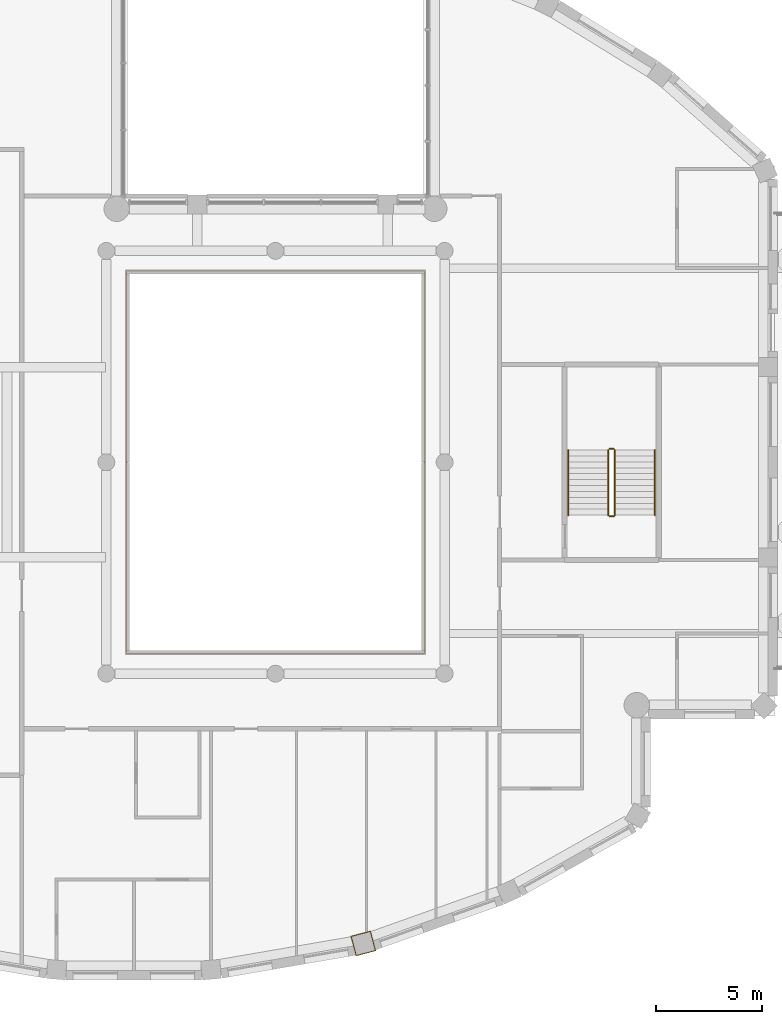
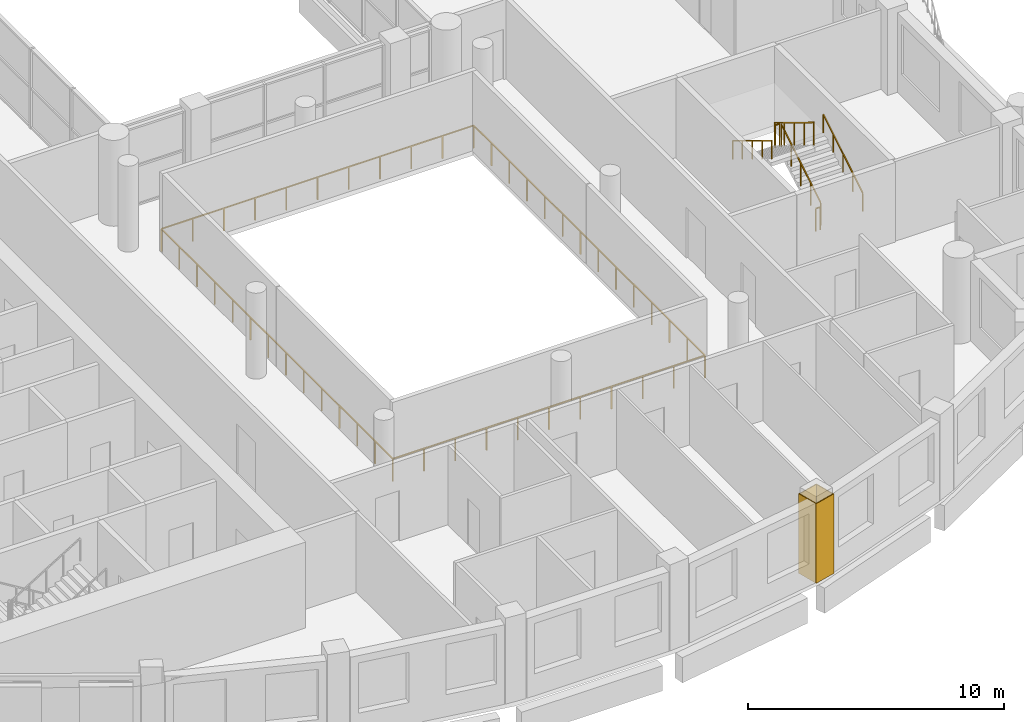
# One storey, part 12 of 15: 7 railings, 1 covering.
"""IFC4 building model written with IfcOpenShell, lengths in metres."""

from ifc_helpers import new_model, si_unit, direction, frame, origin, origin_2d, place, context, subcontext, project, spatial, polyline, rectangle, outline, extrude, material, layer, layer_set, type_object, element, save


model = new_model("IFC4")

# Units and contexts
model_context = context("Model", 3, precision=1e-05, world=origin(), true_north=direction((0.0, 1.0)))
body_context = subcontext(model_context, "Body", "Model", "MODEL_VIEW")
ifc_project = project(units=[si_unit("LENGTHUNIT", "METRE"), si_unit("AREAUNIT", "SQUARE_METRE"), si_unit("VOLUMEUNIT", "CUBIC_METRE"), si_unit("PLANEANGLEUNIT", "RADIAN"), si_unit("MASSUNIT", "GRAM", prefix="KILO")], contexts=[model_context])

# Site, building, storey
site_placement = place(None, origin())
site = spatial("IfcSite", under=ifc_project, at=site_placement, CompositionType="ELEMENT")
building_placement = place(site_placement, origin())
building = spatial("IfcBuilding", under=site, at=building_placement, Name="Cypress Arch Tower", CompositionType="ELEMENT")
storey_placement = place(building_placement, frame((0.0, 0.0, 317.199951171875)))
storey = spatial("IfcBuildingStorey", under=building, at=storey_placement, Name="L72", CompositionType="ELEMENT", Elevation=317.199951171875)

# Railing
ifc_material_1 = material(Name="Stainless steel posts and handrail, laminated glass infill", Category="steel")
railing_type_1 = type_object("IfcRailingType", Name="Atrium guard GR1100A", PredefinedType="GUARDRAIL", material=ifc_material_1)
railing_1_placement = place(storey_placement, frame((8.050048828125, -9.050048828125, 0.0)))
element("IfcRailing", 1, at=railing_1_placement, inside=storey, type_object=railing_type_1, Name="Atrium guard L72", PredefinedType="GUARDRAIL", context=body_context, shape_type="SweptSolid", body=[
    extrude(rectangle(XDim=0.050048828125, YDim=0.050048828125, at=origin_2d()), frame((0.0, 0.0, 1.0751953125), z_axis=(-1.0, 0.0, 0.0), x_axis=(0.0, -1.0, 0.0)), (0.0, 0.0, 1.0), 14.10009765625),
    extrude(rectangle(XDim=0.050048828125, YDim=0.050048828125, at=origin_2d()), frame((-14.10009765625, 0.0, 1.0751953125), z_axis=(0.0, 1.0, 0.0), x_axis=(-1.0, 0.0, 0.0)), (0.0, 0.0, 1.0), 18.10009765625),
    extrude(rectangle(XDim=0.050048828125, YDim=0.050048828125, at=origin_2d()), frame((-14.10009765625, 18.10009765625, 1.0751953125), z_axis=(1.0, 0.0, 0.0), x_axis=(0.0, 1.0, 0.0)), (0.0, 0.0, 1.0), 14.10009765625),
    extrude(rectangle(XDim=0.050048828125, YDim=0.050048828125, at=origin_2d()), frame((0.0, 18.10009765625, 1.0751953125), z_axis=(0.0, -1.0, 0.0), x_axis=(1.0, 0.0, 0.0)), (0.0, 0.0, 1.0), 18.10009765625),
    extrude(rectangle(XDim=0.050048828125, YDim=0.050048828125, at=origin_2d()), origin(), (0.0, 0.0, 1.0), 1.050048828125),
    extrude(rectangle(XDim=0.050048828125, YDim=0.050048828125, at=origin_2d()), frame((-1.409912109375, 0.0, 0.0)), (0.0, 0.0, 1.0), 1.050048828125),
    extrude(rectangle(XDim=0.050048828125, YDim=0.050048828125, at=origin_2d()), frame((-2.820068359375, 0.0, 0.0)), (0.0, 0.0, 1.0), 1.050048828125),
    extrude(rectangle(XDim=0.050048828125, YDim=0.050048828125, at=origin_2d()), frame((-4.22998046875, 0.0, 0.0)), (0.0, 0.0, 1.0), 1.050048828125),
    extrude(rectangle(XDim=0.050048828125, YDim=0.050048828125, at=origin_2d()), frame((-5.64013671875, 0.0, 0.0)), (0.0, 0.0, 1.0), 1.050048828125),
    extrude(rectangle(XDim=0.050048828125, YDim=0.050048828125, at=origin_2d()), frame((-7.050048828125, 0.0, 0.0)), (0.0, 0.0, 1.0), 1.050048828125),
    extrude(rectangle(XDim=0.050048828125, YDim=0.050048828125, at=origin_2d()), frame((-8.4599609375, 0.0, 0.0)), (0.0, 0.0, 1.0), 1.050048828125),
    extrude(rectangle(XDim=0.050048828125, YDim=0.050048828125, at=origin_2d()), frame((-9.8701171875, 0.0, 0.0)), (0.0, 0.0, 1.0), 1.050048828125),
    extrude(rectangle(XDim=0.050048828125, YDim=0.050048828125, at=origin_2d()), frame((-11.280029296875, 0.0, 0.0)), (0.0, 0.0, 1.0), 1.050048828125),
    extrude(rectangle(XDim=0.050048828125, YDim=0.050048828125, at=origin_2d()), frame((-12.690185546875, 0.0, 0.0)), (0.0, 0.0, 1.0), 1.050048828125),
    extrude(rectangle(XDim=0.050048828125, YDim=0.050048828125, at=origin_2d()), frame((-14.10009765625, 0.0, 0.0)), (0.0, 0.0, 1.0), 1.050048828125),
    extrude(rectangle(XDim=0.050048828125, YDim=0.050048828125, at=origin_2d()), frame((-14.10009765625, 1.392333984375, 0.0)), (0.0, 0.0, 1.0), 1.050048828125),
    extrude(rectangle(XDim=0.050048828125, YDim=0.050048828125, at=origin_2d()), frame((-14.10009765625, 2.78466796875, 0.0)), (0.0, 0.0, 1.0), 1.050048828125),
    extrude(rectangle(XDim=0.050048828125, YDim=0.050048828125, at=origin_2d()), frame((-14.10009765625, 4.177001953125, 0.0)), (0.0, 0.0, 1.0), 1.050048828125),
    extrude(rectangle(XDim=0.050048828125, YDim=0.050048828125, at=origin_2d()), frame((-14.10009765625, 5.5693359375, 0.0)), (0.0, 0.0, 1.0), 1.050048828125),
    extrude(rectangle(XDim=0.050048828125, YDim=0.050048828125, at=origin_2d()), frame((-14.10009765625, 6.961669921875, 0.0)), (0.0, 0.0, 1.0), 1.050048828125),
    extrude(rectangle(XDim=0.050048828125, YDim=0.050048828125, at=origin_2d()), frame((-14.10009765625, 8.35400390625, 0.0)), (0.0, 0.0, 1.0), 1.050048828125),
    extrude(rectangle(XDim=0.050048828125, YDim=0.050048828125, at=origin_2d()), frame((-14.10009765625, 9.74609375, 0.0)), (0.0, 0.0, 1.0), 1.050048828125),
    extrude(rectangle(XDim=0.050048828125, YDim=0.050048828125, at=origin_2d()), frame((-14.10009765625, 11.138427734375, 0.0)), (0.0, 0.0, 1.0), 1.050048828125),
    extrude(rectangle(XDim=0.050048828125, YDim=0.050048828125, at=origin_2d()), frame((-14.10009765625, 12.53076171875, 0.0)), (0.0, 0.0, 1.0), 1.050048828125),
    extrude(rectangle(XDim=0.050048828125, YDim=0.050048828125, at=origin_2d()), frame((-14.10009765625, 13.923095703125, 0.0)), (0.0, 0.0, 1.0), 1.050048828125),
    extrude(rectangle(XDim=0.050048828125, YDim=0.050048828125, at=origin_2d()), frame((-14.10009765625, 15.3154296875, 0.0)), (0.0, 0.0, 1.0), 1.050048828125),
    extrude(rectangle(XDim=0.050048828125, YDim=0.050048828125, at=origin_2d()), frame((-14.10009765625, 16.707763671875, 0.0)), (0.0, 0.0, 1.0), 1.050048828125),
    extrude(rectangle(XDim=0.050048828125, YDim=0.050048828125, at=origin_2d()), frame((-14.10009765625, 18.10009765625, 0.0)), (0.0, 0.0, 1.0), 1.050048828125),
    extrude(rectangle(XDim=0.050048828125, YDim=0.050048828125, at=origin_2d()), frame((-12.690185546875, 18.10009765625, 0.0)), (0.0, 0.0, 1.0), 1.050048828125),
    extrude(rectangle(XDim=0.050048828125, YDim=0.050048828125, at=origin_2d()), frame((-11.280029296875, 18.10009765625, 0.0)), (0.0, 0.0, 1.0), 1.050048828125),
    extrude(rectangle(XDim=0.050048828125, YDim=0.050048828125, at=origin_2d()), frame((-9.8701171875, 18.10009765625, 0.0)), (0.0, 0.0, 1.0), 1.050048828125),
    extrude(rectangle(XDim=0.050048828125, YDim=0.050048828125, at=origin_2d()), frame((-8.4599609375, 18.10009765625, 0.0)), (0.0, 0.0, 1.0), 1.050048828125),
    extrude(rectangle(XDim=0.050048828125, YDim=0.050048828125, at=origin_2d()), frame((-7.050048828125, 18.10009765625, 0.0)), (0.0, 0.0, 1.0), 1.050048828125),
    extrude(rectangle(XDim=0.050048828125, YDim=0.050048828125, at=origin_2d()), frame((-5.64013671875, 18.10009765625, 0.0)), (0.0, 0.0, 1.0), 1.050048828125),
    extrude(rectangle(XDim=0.050048828125, YDim=0.050048828125, at=origin_2d()), frame((-4.22998046875, 18.10009765625, 0.0)), (0.0, 0.0, 1.0), 1.050048828125),
    extrude(rectangle(XDim=0.050048828125, YDim=0.050048828125, at=origin_2d()), frame((-2.820068359375, 18.10009765625, 0.0)), (0.0, 0.0, 1.0), 1.050048828125),
    extrude(rectangle(XDim=0.050048828125, YDim=0.050048828125, at=origin_2d()), frame((-1.409912109375, 18.10009765625, 0.0)), (0.0, 0.0, 1.0), 1.050048828125),
    extrude(rectangle(XDim=0.050048828125, YDim=0.050048828125, at=origin_2d()), frame((0.0, 18.10009765625, 0.0)), (0.0, 0.0, 1.0), 1.050048828125),
    extrude(rectangle(XDim=0.050048828125, YDim=0.050048828125, at=origin_2d()), frame((0.0, 16.707763671875, 0.0)), (0.0, 0.0, 1.0), 1.050048828125),
    extrude(rectangle(XDim=0.050048828125, YDim=0.050048828125, at=origin_2d()), frame((0.0, 15.3154296875, 0.0)), (0.0, 0.0, 1.0), 1.050048828125),
    extrude(rectangle(XDim=0.050048828125, YDim=0.050048828125, at=origin_2d()), frame((0.0, 13.923095703125, 0.0)), (0.0, 0.0, 1.0), 1.050048828125),
    extrude(rectangle(XDim=0.050048828125, YDim=0.050048828125, at=origin_2d()), frame((0.0, 12.53076171875, 0.0)), (0.0, 0.0, 1.0), 1.050048828125),
    extrude(rectangle(XDim=0.050048828125, YDim=0.050048828125, at=origin_2d()), frame((0.0, 11.138427734375, 0.0)), (0.0, 0.0, 1.0), 1.050048828125),
    extrude(rectangle(XDim=0.050048828125, YDim=0.050048828125, at=origin_2d()), frame((0.0, 9.74609375, 0.0)), (0.0, 0.0, 1.0), 1.050048828125),
    extrude(rectangle(XDim=0.050048828125, YDim=0.050048828125, at=origin_2d()), frame((0.0, 8.35400390625, 0.0)), (0.0, 0.0, 1.0), 1.050048828125),
    extrude(rectangle(XDim=0.050048828125, YDim=0.050048828125, at=origin_2d()), frame((0.0, 6.961669921875, 0.0)), (0.0, 0.0, 1.0), 1.050048828125),
    extrude(rectangle(XDim=0.050048828125, YDim=0.050048828125, at=origin_2d()), frame((0.0, 5.5693359375, 0.0)), (0.0, 0.0, 1.0), 1.050048828125),
    extrude(rectangle(XDim=0.050048828125, YDim=0.050048828125, at=origin_2d()), frame((0.0, 4.177001953125, 0.0)), (0.0, 0.0, 1.0), 1.050048828125),
    extrude(rectangle(XDim=0.050048828125, YDim=0.050048828125, at=origin_2d()), frame((0.0, 2.78466796875, 0.0)), (0.0, 0.0, 1.0), 1.050048828125),
    extrude(rectangle(XDim=0.050048828125, YDim=0.050048828125, at=origin_2d()), frame((0.0, 1.392333984375, 0.0)), (0.0, 0.0, 1.0), 1.050048828125),
])

# Covering
ifc_material_2 = material(Name="Painted plasterboard column casing")
ifc_layer = layer(ifc_material_2, 0.0400390625)
ifc_layer_set = layer_set([ifc_layer], Name="Column casing CK40")
covering_type = type_object("IfcCoveringType", Name="Column casing CK40", PredefinedType="CLADDING", material=ifc_layer_set)
covering_placement = place(storey_placement, origin())
element("IfcCovering", 2, at=covering_placement, inside=storey, type_object=covering_type, Name="Column casing L72 CC16", PredefinedType="CLADDING", context=body_context, shape_type="SweptSolid", body=[
    extrude(outline(polyline([(4.804443359375, -23.361083984375), (4.55615234375, -22.4130859375), (5.504150390625, -22.164794921875), (5.75244140625, -23.11279296875), (4.804443359375, -23.361083984375)]), holes=[polyline([(4.8330078125, -23.312255859375), (5.70361328125, -23.084228515625), (5.4755859375, -22.213623046875), (4.60498046875, -22.441650390625), (4.8330078125, -23.312255859375)])]), origin(), (0.0, 0.0, 1.0), 3.800048828125),
])

# Railings
ifc_material_3 = material(Name="Black powder-coated steel square bar 48 mm", Category="steel")
railing_type_2 = type_object("IfcRailingType", Name="Stair handrail HR1", PredefinedType="HANDRAIL", material=ifc_material_3)
railing_2_placement = place(storey_placement, frame((18.949951171875, -2.5, 0.1708984375)))
element("IfcRailing", 3, at=railing_2_placement, inside=storey, type_object=railing_type_2, Name="L72 C stair handrail 1", PredefinedType="HANDRAIL", context=body_context, shape_type="SweptSolid", body=[
    extrude(rectangle(XDim=0.048095703125, YDim=0.048095703125, at=origin_2d()), frame((0.0, 0.0, 0.8759765625), z_axis=(0.0, 0.853666305674, 0.52082035152), x_axis=(-1.0, 0.0, 0.0)), (0.0, 0.0, 1.0), 3.608154296875),
    extrude(rectangle(XDim=0.0419921875, YDim=0.0419921875, at=origin_2d()), origin(), (0.0, 0.0, 1.0), 0.851806640625),
    extrude(rectangle(XDim=0.0419921875, YDim=0.0419921875, at=origin_2d()), frame((0.0, 0.77001953125, 0.4697265625)), (0.0, 0.0, 1.0), 0.851806640625),
    extrude(rectangle(XDim=0.0419921875, YDim=0.0419921875, at=origin_2d()), frame((0.0, 1.5400390625, 0.939453125)), (0.0, 0.0, 1.0), 0.851806640625),
    extrude(rectangle(XDim=0.0419921875, YDim=0.0419921875, at=origin_2d()), frame((0.0, 2.31005859375, 1.409423828125)), (0.0, 0.0, 1.0), 0.851806640625),
    extrude(rectangle(XDim=0.0419921875, YDim=0.0419921875, at=origin_2d()), frame((0.0, 3.080078125, 1.879150390625)), (0.0, 0.0, 1.0), 0.851806640625),
])
railing_3_placement = place(storey_placement, frame((14.85009765625, 0.580078125, 2.220947265625)))
element("IfcRailing", 4, at=railing_3_placement, inside=storey, type_object=railing_type_2, Name="L72 C stair handrail 2", PredefinedType="HANDRAIL", context=body_context, shape_type="SweptSolid", body=[
    extrude(rectangle(XDim=0.048095703125, YDim=0.048095703125, at=origin_2d()), frame((0.0, 0.0, 0.8759765625), z_axis=(0.0, -0.853666305674, 0.52082035152), x_axis=(1.0, 0.0, 0.0)), (0.0, 0.0, 1.0), 3.608154296875),
    extrude(rectangle(XDim=0.0419921875, YDim=0.0419921875, at=origin_2d()), origin(), (0.0, 0.0, 1.0), 0.851806640625),
    extrude(rectangle(XDim=0.0419921875, YDim=0.0419921875, at=origin_2d()), frame((0.0, -0.77001953125, 0.4697265625)), (0.0, 0.0, 1.0), 0.851806640625),
    extrude(rectangle(XDim=0.0419921875, YDim=0.0419921875, at=origin_2d()), frame((0.0, -1.5400390625, 0.939453125)), (0.0, 0.0, 1.0), 0.851806640625),
    extrude(rectangle(XDim=0.0419921875, YDim=0.0419921875, at=origin_2d()), frame((0.0, -2.31005859375, 1.409423828125)), (0.0, 0.0, 1.0), 0.851806640625),
    extrude(rectangle(XDim=0.0419921875, YDim=0.0419921875, at=origin_2d()), frame((0.0, -3.080078125, 1.879150390625)), (0.0, 0.0, 1.0), 0.851806640625),
])
ifc_material_4 = material(Name="Black powder-coated steel balusters", Category="steel")
railing_type_3 = type_object("IfcRailingType", Name="Stair well guard G1", PredefinedType="GUARDRAIL", material=ifc_material_4)
railing_4_placement = place(storey_placement, frame((17.050048828125, -2.5, 0.1708984375)))
element("IfcRailing", 5, at=railing_4_placement, inside=storey, type_object=railing_type_3, Name="L72 C stair guard 1", PredefinedType="GUARDRAIL", context=body_context, shape_type="SweptSolid", body=[
    extrude(rectangle(XDim=0.048095703125, YDim=0.048095703125, at=origin_2d()), frame((0.0, 0.0, 1.076171875), z_axis=(0.0, 0.853666305674, 0.52082035152), x_axis=(-1.0, 0.0, 0.0)), (0.0, 0.0, 1.0), 3.608154296875),
    extrude(rectangle(XDim=0.0419921875, YDim=0.0419921875, at=origin_2d()), origin(), (0.0, 0.0, 1.0), 1.052001953125),
    extrude(rectangle(XDim=0.0419921875, YDim=0.0419921875, at=origin_2d()), frame((0.0, 0.77001953125, 0.4697265625)), (0.0, 0.0, 1.0), 1.052001953125),
    extrude(rectangle(XDim=0.0419921875, YDim=0.0419921875, at=origin_2d()), frame((0.0, 1.5400390625, 0.939453125)), (0.0, 0.0, 1.0), 1.052001953125),
    extrude(rectangle(XDim=0.0419921875, YDim=0.0419921875, at=origin_2d()), frame((0.0, 2.31005859375, 1.409423828125)), (0.0, 0.0, 1.0), 1.052001953125),
    extrude(rectangle(XDim=0.0419921875, YDim=0.0419921875, at=origin_2d()), frame((0.0, 3.080078125, 1.879150390625)), (0.0, 0.0, 1.0), 1.052001953125),
])
railing_5_placement = place(storey_placement, frame((17.0, 0.6298828125, 2.050048828125)))
element("IfcRailing", 6, at=railing_5_placement, inside=storey, type_object=railing_type_3, Name="L72 C stair guard 2", PredefinedType="GUARDRAIL", context=body_context, shape_type="SweptSolid", body=[
    extrude(rectangle(XDim=0.048095703125, YDim=0.048095703125, at=origin_2d()), frame((0.0, 0.0, 1.076171875), z_axis=(-1.0, 0.0, 0.0), x_axis=(0.0, -1.0, 0.0)), (0.0, 0.0, 1.0), 0.199951171875),
    extrude(rectangle(XDim=0.0419921875, YDim=0.0419921875, at=origin_2d()), origin(), (0.0, 0.0, 1.0), 1.052001953125),
    extrude(rectangle(XDim=0.0419921875, YDim=0.0419921875, at=origin_2d()), frame((-0.199951171875, 0.0, 0.0)), (0.0, 0.0, 1.0), 1.052001953125),
])
railing_6_placement = place(storey_placement, frame((16.75, 0.580078125, 2.220947265625)))
element("IfcRailing", 7, at=railing_6_placement, inside=storey, type_object=railing_type_3, Name="L72 C stair guard 3", PredefinedType="GUARDRAIL", context=body_context, shape_type="SweptSolid", body=[
    extrude(rectangle(XDim=0.048095703125, YDim=0.048095703125, at=origin_2d()), frame((0.0, 0.0, 1.076171875), z_axis=(0.0, -0.853666305674, 0.52082035152), x_axis=(1.0, 0.0, 0.0)), (0.0, 0.0, 1.0), 3.608154296875),
    extrude(rectangle(XDim=0.0419921875, YDim=0.0419921875, at=origin_2d()), origin(), (0.0, 0.0, 1.0), 1.052001953125),
    extrude(rectangle(XDim=0.0419921875, YDim=0.0419921875, at=origin_2d()), frame((0.0, -0.77001953125, 0.4697265625)), (0.0, 0.0, 1.0), 1.052001953125),
    extrude(rectangle(XDim=0.0419921875, YDim=0.0419921875, at=origin_2d()), frame((0.0, -1.5400390625, 0.939453125)), (0.0, 0.0, 1.0), 1.052001953125),
    extrude(rectangle(XDim=0.0419921875, YDim=0.0419921875, at=origin_2d()), frame((0.0, -2.31005859375, 1.409423828125)), (0.0, 0.0, 1.0), 1.052001953125),
    extrude(rectangle(XDim=0.0419921875, YDim=0.0419921875, at=origin_2d()), frame((0.0, -3.080078125, 1.879150390625)), (0.0, 0.0, 1.0), 1.052001953125),
])
railing_7_placement = place(storey_placement, frame((17.0, -2.550048828125, 0.0)))
element("IfcRailing", 8, at=railing_7_placement, inside=storey, type_object=railing_type_3, Name="L72 C stair guard 4", PredefinedType="GUARDRAIL", context=body_context, shape_type="SweptSolid", body=[
    extrude(rectangle(XDim=0.048095703125, YDim=0.048095703125, at=origin_2d()), frame((0.0, 0.0, 1.076171875), z_axis=(-1.0, 0.0, 0.0), x_axis=(0.0, -1.0, 0.0)), (0.0, 0.0, 1.0), 0.199951171875),
    extrude(rectangle(XDim=0.0419921875, YDim=0.0419921875, at=origin_2d()), origin(), (0.0, 0.0, 1.0), 1.052001953125),
    extrude(rectangle(XDim=0.0419921875, YDim=0.0419921875, at=origin_2d()), frame((-0.199951171875, 0.0, 0.0)), (0.0, 0.0, 1.0), 1.052001953125),
])

save(model, "model.ifc")
